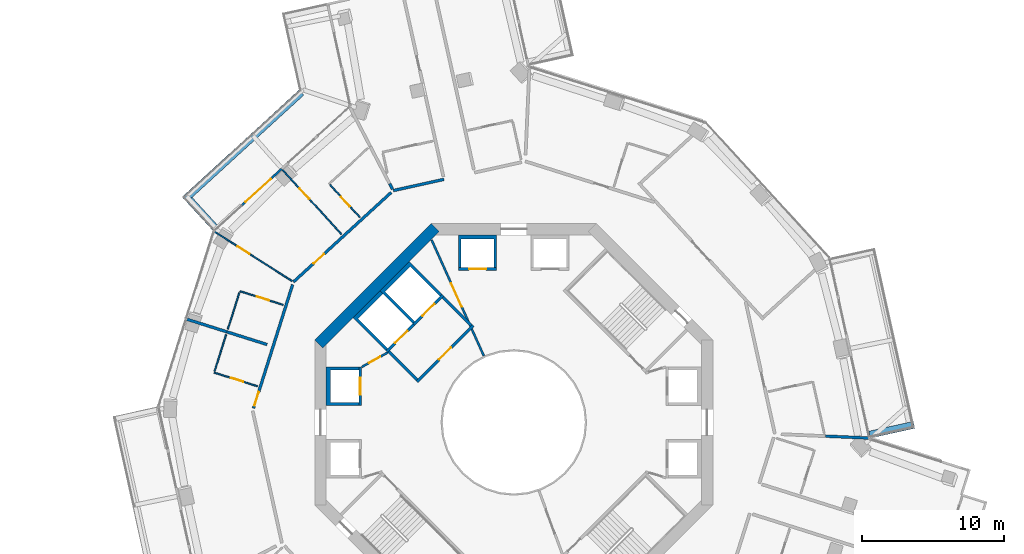
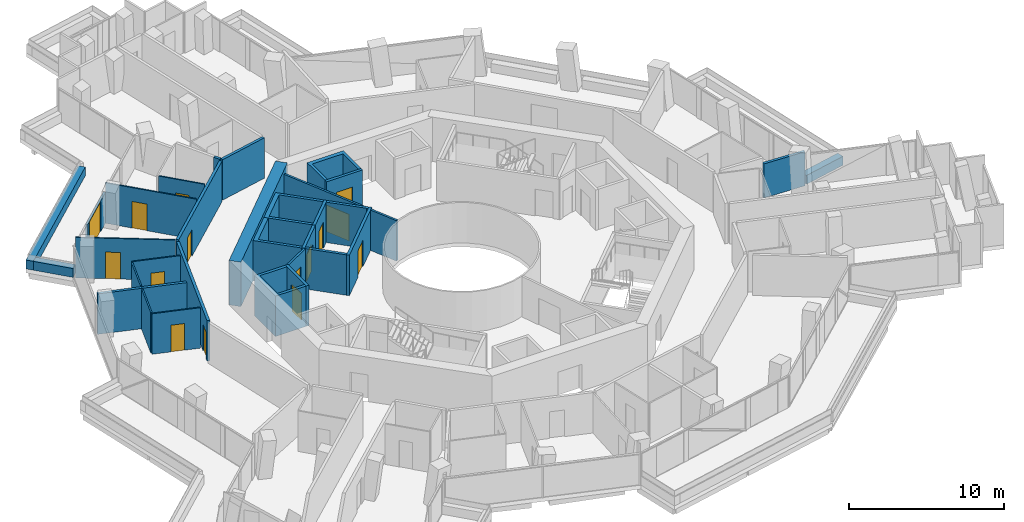
# One storey, part 19 of 24: 32 walls, 15 doors, 15 openings.
"""IFC4 building model written with IfcOpenShell, lengths in metres."""

from ifc_helpers import new_model, si_unit, direction, frame, frame_2d, origin, place, context, subcontext, project, spatial, polyline, rectangle, outline, extrude, material, layer, layer_set, type_object, element, fill, save


model = new_model("IFC4")

# Units and contexts
model_context = context("Model", 3, precision=1e-05, world=origin(), true_north=direction((0.0, 1.0)))
body_context = subcontext(model_context, "Body", "Model", "MODEL_VIEW")
ifc_project = project(units=[si_unit("LENGTHUNIT", "METRE"), si_unit("AREAUNIT", "SQUARE_METRE"), si_unit("VOLUMEUNIT", "CUBIC_METRE"), si_unit("PLANEANGLEUNIT", "RADIAN"), si_unit("MASSUNIT", "GRAM", prefix="KILO")], contexts=[model_context])

# Site, building, storey
site_placement = place(None, origin())
site = spatial("IfcSite", under=ifc_project, at=site_placement, CompositionType="ELEMENT")
building_placement = place(site_placement, origin())
building = spatial("IfcBuilding", under=site, at=building_placement, Name="Verdalira Terraces Hotel", CompositionType="ELEMENT")
storey_placement = place(building_placement, frame((0.0, 0.0, 86.0)))
storey = spatial("IfcBuildingStorey", under=building, at=storey_placement, Name="L19", CompositionType="ELEMENT", Elevation=86.0)

# Walls
ifc_material_1 = material(Name="Concrete C40", Category="concrete")
ifc_layer_1 = layer(ifc_material_1, 0.5)
ifc_layer_set_1 = layer_set([ifc_layer_1], Name="Balcony planter trough with tree")
wall_type_1 = type_object("IfcWallType", Name="Balcony planter trough with tree", PredefinedType="SOLIDWALL", material=ifc_layer_set_1)
wall_1_placement = place(storey_placement, frame((-14.943359, 23.208496, 0.0), z_axis=(0.0, 0.0, 1.0), x_axis=(-0.737508426, -0.675337932, 0.0)))
element("IfcWall", 1, at=wall_1_placement, inside=storey, type_object=wall_type_1, Name="Balcony planter", PredefinedType="SOLIDWALL", context=body_context, shape_type="SweptSolid", body=[
    extrude(rectangle(XDim=11.152588, YDim=0.5, at=frame_2d((5.576172, 0.0))), origin(), (0.0, 0.0, 1.0), 0.699951),
])
wall_2_placement = place(storey_placement, frame((-22.815186, 15.661377, 0.0), z_axis=(0.0, 0.0, 1.0), x_axis=(0.675257533, -0.737582039, 0.0)))
element("IfcWall", 2, at=wall_2_placement, inside=storey, type_object=wall_type_1, Name="Balcony planter", PredefinedType="SOLIDWALL", context=body_context, shape_type="SweptSolid", body=[
    extrude(rectangle(XDim=2.698975, YDim=0.5, at=frame_2d((1.349609, 0.0))), origin(), (0.0, 0.0, 1.0), 0.699951),
])
wall_3_placement = place(storey_placement, frame((25.036621, -0.859863, 0.0), z_axis=(0.0, 0.0, 1.0), x_axis=(0.97638239, 0.216049597, 0.0)))
element("IfcWall", 3, at=wall_3_placement, inside=storey, type_object=wall_type_1, Name="Balcony planter", PredefinedType="SOLIDWALL", context=body_context, shape_type="SweptSolid", body=[
    extrude(rectangle(XDim=3.198975, YDim=0.5, at=frame_2d((1.599609, 0.0))), origin(), (0.0, 0.0, 1.0), 0.699951),
])
ifc_material_2 = material(Name="Moisture-resistant gypsum board partition")
ifc_layer_2 = layer(ifc_material_2, 0.10009765625)
ifc_layer_set_2 = layer_set([ifc_layer_2], Name="Bathroom partition 100 mm")
wall_type_2 = type_object("IfcWallType", Name="Bathroom partition 100 mm", PredefinedType="PARTITIONING", material=ifc_layer_set_2)
for number, where, z_axis, x_axis, name in (
    (4, (-21.049805, 3.604004, 0.0), (0.0, 0.0, 1.0), (0.301023175, 0.953616824, 0.0), "Bathroom partition"),
    (5, (-19.303711, 9.13501, 0.0), (0.0, 0.0, 1.0), (-0.301105403, -0.953590864, 0.0), "Bathroom partition"),
):
    element("IfcWall", number, at=place(storey_placement, frame(where, z_axis=z_axis, x_axis=x_axis)), inside=storey, type_object=wall_type_2, Name=name, PredefinedType="PARTITIONING", context=body_context, shape_type="SweptSolid", body=[
        extrude(rectangle(XDim=2.699951, YDim=0.100098, at=frame_2d((1.350098, 0.0))), origin(), (0.0, 0.0, 1.0), 3.189941),
    ])

# Wall, opening, door
wall_4_placement = place(storey_placement, frame((-21.080078, 3.508545, 0.0), z_axis=(0.0, 0.0, 1.0), x_axis=(0.953634536, -0.30096706, 0.0)))
wall_4 = element("IfcWall", 6, at=wall_4_placement, inside=storey, type_object=wall_type_2, Name="Bathroom partition", PredefinedType="PARTITIONING", context=body_context, shape_type="SweptSolid", body=[
    extrude(rectangle(XDim=3.200195, YDim=0.100098, at=frame_2d((1.600098, 0.0))), origin(), (0.0, 0.0, 1.0), 3.189941),
])
opening_1_placement = place(wall_4_placement, frame((1.25, 0.0, 0.0)))
opening_1 = element("IfcOpeningElement", 7, at=opening_1_placement, cuts=wall_4, Name="Opening L19-112", PredefinedType="OPENING", context=body_context, shape_type="SweptSolid", body=[
    extrude(rectangle(XDim=0.899902, YDim=2.100098, at=frame_2d((0.449951, 1.050049))), frame((0.0, 0.060059, 0.0), z_axis=(0.0, -1.0, 0.0), x_axis=(1.0, 0.0, 0.0)), (0.0, 0.0, 1.0), 0.120117),
])
ifc_material_3 = material(Name="Timber door", Category="wood")
door_type_1 = type_object("IfcDoorType", Name="Bathroom door 900 x 2100", OperationType="NOTDEFINED", PredefinedType="DOOR", material=ifc_material_3)
door_1_placement = place(opening_1_placement, origin())
door_1 = element("IfcDoor", 8, at=door_1_placement, inside=storey, type_object=door_type_1, Name="Bathroom door 1904", OperationType="SINGLE_SWING_LEFT", OverallHeight=2.10009765625, OverallWidth=0.89990234375, PredefinedType="DOOR", context=body_context, shape_type="SweptSolid", body=[
    extrude(rectangle(XDim=0.899902, YDim=2.100098, at=frame_2d((0.449951, 1.050049))), frame((0.0, 0.024902, 0.0), z_axis=(0.0, -1.0, 0.0), x_axis=(1.0, 0.0, 0.0)), (0.0, 0.0, 1.0), 0.050049),
])
fill(opening_1, door_1)

wall_5_placement = place(storey_placement, frame((-15.589355, 9.939209, 0.0), z_axis=(0.0, 0.0, 1.0), x_axis=(-0.843215663, 0.537575433, 0.0)))
wall_5 = element("IfcWall", 9, at=wall_5_placement, inside=storey, type_object=wall_type_2, Name="Bathroom partition", PredefinedType="PARTITIONING", context=body_context, shape_type="SweptSolid", body=[
    extrude(rectangle(XDim=6.47583, YDim=0.100098, at=frame_2d((3.237793, 0.0))), origin(), (0.0, 0.0, 1.0), 3.189941),
])
opening_2_placement = place(wall_5_placement, frame((3.550049, 0.0, 0.0)))
opening_2 = element("IfcOpeningElement", 10, at=opening_2_placement, cuts=wall_5, Name="Opening L19-108", PredefinedType="OPENING", context=body_context, shape_type="SweptSolid", body=[
    extrude(rectangle(XDim=1.0, YDim=2.100098, at=frame_2d((0.5, 1.050049))), frame((0.0, 0.060059, 0.0), z_axis=(0.0, -1.0, 0.0), x_axis=(1.0, 0.0, 0.0)), (0.0, 0.0, 1.0), 0.120117),
])
ifc_material_4 = material(Name="Timber door", Category="wood")
door_type_2 = type_object("IfcDoorType", Name="Suite internal door 1000 x 2100", OperationType="NOTDEFINED", PredefinedType="DOOR", material=ifc_material_4)
door_2_placement = place(opening_2_placement, origin())
door_2 = element("IfcDoor", 11, at=door_2_placement, inside=storey, type_object=door_type_2, Name="Suite internal door 1903", OperationType="SINGLE_SWING_LEFT", OverallHeight=2.10009765625, OverallWidth=1.0, PredefinedType="DOOR", context=body_context, shape_type="SweptSolid", body=[
    extrude(rectangle(XDim=1.0, YDim=2.100098, at=frame_2d((0.5, 1.050049))), frame((0.0, 0.024902, 0.0), z_axis=(0.0, -1.0, 0.0), x_axis=(1.0, 0.0, 0.0)), (0.0, 0.0, 1.0), 0.050049),
])
fill(opening_2, door_2)

wall_6_placement = place(storey_placement, frame((-16.222168, 8.26709, 0.0), z_axis=(0.0, 0.0, 1.0), x_axis=(-0.953627625, 0.300988958, 0.0)))
wall_6 = element("IfcWall", 12, at=wall_6_placement, inside=storey, type_object=wall_type_2, Name="Bathroom partition", PredefinedType="PARTITIONING", context=body_context, shape_type="SweptSolid", body=[
    extrude(rectangle(XDim=3.199951, YDim=0.100098, at=frame_2d((1.600098, 0.0))), origin(), (0.0, 0.0, 1.0), 3.189941),
])
opening_3_placement = place(wall_6_placement, frame((1.050049, 0.0, 0.0)))
opening_3 = element("IfcOpeningElement", 13, at=opening_3_placement, cuts=wall_6, Name="Opening L19-110", PredefinedType="OPENING", context=body_context, shape_type="SweptSolid", body=[
    extrude(rectangle(XDim=0.899902, YDim=2.100098, at=frame_2d((0.449951, 1.050049))), frame((0.0, 0.060059, 0.0), z_axis=(0.0, -1.0, 0.0), x_axis=(1.0, 0.0, 0.0)), (0.0, 0.0, 1.0), 0.120117),
])
door_3_placement = place(opening_3_placement, origin())
door_3 = element("IfcDoor", 14, at=door_3_placement, inside=storey, type_object=door_type_1, Name="Bathroom door 1903", OperationType="SINGLE_SWING_RIGHT", OverallHeight=2.10009765625, OverallWidth=0.89990234375, PredefinedType="DOOR", context=body_context, shape_type="SweptSolid", body=[
    extrude(rectangle(XDim=0.899902, YDim=2.100098, at=frame_2d((0.449951, 1.050049))), frame((0.0, 0.024902, 0.0), z_axis=(0.0, -1.0, 0.0), x_axis=(1.0, 0.0, 0.0)), (0.0, 0.0, 1.0), 0.050049),
])
fill(opening_3, door_3)

wall_7_placement = place(storey_placement, frame((-16.281006, 17.780273, 0.0), z_axis=(0.0, 0.0, 1.0), x_axis=(0.67532007, -0.737524781, 0.0)))
wall_7 = element("IfcWall", 15, at=wall_7_placement, inside=storey, type_object=wall_type_2, Name="Bathroom partition", PredefinedType="PARTITIONING", context=body_context, shape_type="SweptSolid", body=[
    extrude(rectangle(XDim=6.150146, YDim=0.100098, at=frame_2d((3.075195, 0.0))), origin(), (0.0, 0.0, 1.0), 3.189941),
])
opening_4_placement = place(wall_7_placement, frame((1.800049, 0.0, 0.0)))
opening_4 = element("IfcOpeningElement", 16, at=opening_4_placement, cuts=wall_7, Name="Opening L19-107", PredefinedType="OPENING", context=body_context, shape_type="SweptSolid", body=[
    extrude(rectangle(XDim=1.0, YDim=2.100098, at=frame_2d((0.5, 1.050049))), frame((0.0, 0.060059, 0.0), z_axis=(0.0, -1.0, 0.0), x_axis=(1.0, 0.0, 0.0)), (0.0, 0.0, 1.0), 0.120117),
])
door_4_placement = place(opening_4_placement, origin())
door_4 = element("IfcDoor", 17, at=door_4_placement, inside=storey, type_object=door_type_2, Name="Suite internal door 1903", OperationType="SINGLE_SWING_LEFT", OverallHeight=2.10009765625, OverallWidth=1.0, PredefinedType="DOOR", context=body_context, shape_type="SweptSolid", body=[
    extrude(rectangle(XDim=1.0, YDim=2.100098, at=frame_2d((0.5, 1.050049))), frame((0.0, 0.024902, 0.0), z_axis=(0.0, -1.0, 0.0), x_axis=(1.0, 0.0, 0.0)), (0.0, 0.0, 1.0), 0.050049),
])
fill(opening_4, door_4)

wall_8_placement = place(storey_placement, frame((-12.924561, 16.718262, 0.0), z_axis=(0.0, 0.0, 1.0), x_axis=(0.675314409, -0.737529964, 0.0)))
wall_8 = element("IfcWall", 18, at=wall_8_placement, inside=storey, type_object=wall_type_2, Name="Bathroom partition", PredefinedType="PARTITIONING", context=body_context, shape_type="SweptSolid", body=[
    extrude(rectangle(XDim=3.100098, YDim=0.100098, at=frame_2d((1.550049, 0.0))), origin(), (0.0, 0.0, 1.0), 3.189941),
])
opening_5_placement = place(wall_8_placement, frame((1.149902, 0.0, 0.0)))
opening_5 = element("IfcOpeningElement", 19, at=opening_5_placement, cuts=wall_8, Name="Opening L19-109", PredefinedType="OPENING", context=body_context, shape_type="SweptSolid", body=[
    extrude(rectangle(XDim=0.899902, YDim=2.100098, at=frame_2d((0.449951, 1.050049))), frame((0.0, 0.060059, 0.0), z_axis=(0.0, -1.0, 0.0), x_axis=(1.0, 0.0, 0.0)), (0.0, 0.0, 1.0), 0.120117),
])
door_5_placement = place(opening_5_placement, origin())
door_5 = element("IfcDoor", 20, at=door_5_placement, inside=storey, type_object=door_type_1, Name="Bathroom door 1903", OperationType="SINGLE_SWING_LEFT", OverallHeight=2.10009765625, OverallWidth=0.89990234375, PredefinedType="DOOR", context=body_context, shape_type="SweptSolid", body=[
    extrude(rectangle(XDim=0.899902, YDim=2.100098, at=frame_2d((0.449951, 1.050049))), frame((0.0, 0.024902, 0.0), z_axis=(0.0, -1.0, 0.0), x_axis=(1.0, 0.0, 0.0)), (0.0, 0.0, 1.0), 0.050049),
])
fill(opening_5, door_5)

# Wall
ifc_material_5 = material(Name="Concrete C50", Category="concrete")
ifc_layer_3 = layer(ifc_material_5, 0.199951171875)
ifc_layer_set_3 = layer_set([ifc_layer_3], Name="Core RC wall 200 C50")
wall_type_3 = type_object("IfcWallType", Name="Core RC wall 200 C50", PredefinedType="SOLIDWALL", material=ifc_layer_set_3)
wall_9_placement = place(storey_placement, origin())
element("IfcWall", 21, at=wall_9_placement, inside=storey, type_object=wall_type_3, Name="L19 shaft wall N2", PredefinedType="SOLIDWALL", context=body_context, shape_type="SweptSolid", body=[
    extrude(outline(polyline([(-3.899902, 10.899902), (-3.899902, 13.199951), (-1.199951, 13.199951), (-1.199951, 10.899902), (-1.399902, 10.899902), (-1.399902, 12.899902), (-3.699951, 12.899902), (-3.699951, 10.899902), (-3.899902, 10.899902)])), origin(), (0.0, 0.0, 1.0), 3.189941),
])

# Wall, opening, door
wall_10_placement = place(storey_placement, frame((-1.199951, 10.800049, 0.0), z_axis=(0.0, 0.0, 1.0), x_axis=(-1.0, 0.0, 0.0)))
wall_10 = element("IfcWall", 22, at=wall_10_placement, inside=storey, type_object=wall_type_3, Name="L19 shaft front wall N2", PredefinedType="SOLIDWALL", context=body_context, shape_type="SweptSolid", body=[
    extrude(rectangle(XDim=2.699951, YDim=0.199951, at=frame_2d((1.350098, 0.0))), origin(), (0.0, 0.0, 1.0), 3.189941),
])
opening_6_placement = place(wall_10_placement, frame((0.75, 0.0, 0.0)))
opening_6 = element("IfcOpeningElement", 23, at=opening_6_placement, cuts=wall_10, Name="Opening LD-L19-804", PredefinedType="OPENING", context=body_context, shape_type="SweptSolid", body=[
    extrude(rectangle(XDim=1.199951, YDim=2.100098, at=frame_2d((0.600098, 1.050049))), frame((0.0, 0.109863, 0.0), z_axis=(0.0, -1.0, 0.0), x_axis=(1.0, 0.0, 0.0)), (0.0, 0.0, 1.0), 0.219971),
])
ifc_material_6 = material(Name="Stainless steel", Category="steel")
door_type_3 = type_object("IfcDoorType", Name="Landing door 1200 x 2100", OperationType="NOTDEFINED", PredefinedType="DOOR", material=ifc_material_6)
door_6_placement = place(opening_6_placement, origin())
door_6 = element("IfcDoor", 24, at=door_6_placement, inside=storey, type_object=door_type_3, Name="Lift landing door LR4 L19", OperationType="DOUBLE_DOOR_SLIDING", OverallHeight=2.10009765625, OverallWidth=1.199951171875, PredefinedType="DOOR", context=body_context, shape_type="SweptSolid", body=[
    extrude(rectangle(XDim=1.199951, YDim=2.100098, at=frame_2d((0.600098, 1.050049))), frame((0.0, 0.024902, 0.0), z_axis=(0.0, -1.0, 0.0), x_axis=(1.0, 0.0, 0.0)), (0.0, 0.0, 1.0), 0.050049),
])
fill(opening_6, door_6)

# Wall
wall_11_placement = place(storey_placement, origin())
element("IfcWall", 25, at=wall_11_placement, inside=storey, type_object=wall_type_3, Name="L19 shaft wall W1", PredefinedType="SOLIDWALL", context=body_context, shape_type="SweptSolid", body=[
    extrude(outline(polyline([(-13.199951, 3.899902), (-10.899902, 3.899902), (-10.899902, 3.699951), (-12.899902, 3.699951), (-12.899902, 1.399902), (-10.899902, 1.399902), (-10.899902, 1.199951), (-13.199951, 1.199951), (-13.199951, 3.899902)])), origin(), (0.0, 0.0, 1.0), 3.189941),
])

# Wall, opening, door
wall_12_placement = place(storey_placement, frame((-10.800049, 1.199951, 0.0), z_axis=(0.0, 0.0, 1.0), x_axis=(0.0, 1.0, 0.0)))
wall_12 = element("IfcWall", 26, at=wall_12_placement, inside=storey, type_object=wall_type_3, Name="L19 shaft front wall W1", PredefinedType="SOLIDWALL", context=body_context, shape_type="SweptSolid", body=[
    extrude(rectangle(XDim=2.699951, YDim=0.199951, at=frame_2d((1.350098, 0.0))), origin(), (0.0, 0.0, 1.0), 3.189941),
])
opening_7_placement = place(wall_12_placement, frame((0.75, 0.0, 0.0)))
opening_7 = element("IfcOpeningElement", 27, at=opening_7_placement, cuts=wall_12, Name="Opening LD-L19-805", PredefinedType="OPENING", context=body_context, shape_type="SweptSolid", body=[
    extrude(rectangle(XDim=1.199951, YDim=2.100098, at=frame_2d((0.600098, 1.050049))), frame((0.0, 0.109863, 0.0), z_axis=(0.0, -1.0, 0.0), x_axis=(1.0, 0.0, 0.0)), (0.0, 0.0, 1.0), 0.219971),
])
door_7_placement = place(opening_7_placement, origin())
door_7 = element("IfcDoor", 28, at=door_7_placement, inside=storey, type_object=door_type_3, Name="Lift landing door LR5 L19", OperationType="DOUBLE_DOOR_SLIDING", OverallHeight=2.10009765625, OverallWidth=1.199951171875, PredefinedType="DOOR", context=body_context, shape_type="SweptSolid", body=[
    extrude(rectangle(XDim=1.199951, YDim=2.100098, at=frame_2d((0.600098, 1.050049))), frame((0.0, 0.024902, 0.0), z_axis=(0.0, -1.0, 0.0), x_axis=(1.0, 0.0, 0.0)), (0.0, 0.0, 1.0), 0.050049),
])
fill(opening_7, door_7)

# Wall
wall_13_placement = place(storey_placement, origin())
element("IfcWall", 29, at=wall_13_placement, inside=storey, type_object=wall_type_3, Name="L19 shaft wall F1", PredefinedType="SOLIDWALL", context=body_context, shape_type="SweptSolid", body=[
    extrude(outline(polyline([(-9.404541, 9.263184), (-7.354004, 11.313721), (-5.055908, 9.015625), (-5.197266, 8.874268), (-7.283203, 10.960205), (-9.051025, 9.192383), (-6.965088, 7.106445), (-7.106445, 6.965088), (-9.404541, 9.263184)])), origin(), (0.0, 0.0, 1.0), 3.189941),
])

# Wall, opening, door
wall_14_placement = place(storey_placement, frame((-4.985107, 8.944824, 0.0), z_axis=(0.0, 0.0, 1.0), x_axis=(-0.707106781, -0.707106781, 0.0)))
wall_14 = element("IfcWall", 30, at=wall_14_placement, inside=storey, type_object=wall_type_3, Name="L19 shaft front wall F1", PredefinedType="SOLIDWALL", context=body_context, shape_type="SweptSolid", body=[
    extrude(rectangle(XDim=2.899902, YDim=0.199951, at=frame_2d((1.449951, 0.0))), origin(), (0.0, 0.0, 1.0), 3.189941),
])
opening_8_placement = place(wall_14_placement, frame((0.850098, 0.0, 0.0)))
opening_8 = element("IfcOpeningElement", 31, at=opening_8_placement, cuts=wall_14, Name="Opening LD-L19-807", PredefinedType="OPENING", context=body_context, shape_type="SweptSolid", body=[
    extrude(rectangle(XDim=1.199951, YDim=2.100098, at=frame_2d((0.600098, 1.050049))), frame((0.0, 0.109863, 0.0), z_axis=(0.0, -1.0, 0.0), x_axis=(1.0, 0.0, 0.0)), (0.0, 0.0, 1.0), 0.219971),
])
door_8_placement = place(opening_8_placement, origin())
door_8 = element("IfcDoor", 32, at=door_8_placement, inside=storey, type_object=door_type_3, Name="Lift landing door LF11 L19", OperationType="DOUBLE_DOOR_SLIDING", OverallHeight=2.10009765625, OverallWidth=1.199951171875, PredefinedType="DOOR", context=body_context, shape_type="SweptSolid", body=[
    extrude(rectangle(XDim=1.199951, YDim=2.100098, at=frame_2d((0.600098, 1.050049))), frame((0.0, 0.024902, 0.0), z_axis=(0.0, -1.0, 0.0), x_axis=(1.0, 0.0, 0.0)), (0.0, 0.0, 1.0), 0.050049),
])
fill(opening_8, door_8)

# Wall
wall_15_placement = place(storey_placement, origin())
element("IfcWall", 33, at=wall_15_placement, inside=storey, type_object=wall_type_3, Name="L19 shaft wall F2", PredefinedType="SOLIDWALL", context=body_context, shape_type="SweptSolid", body=[
    extrude(outline(polyline([(-11.313721, 7.354004), (-9.404541, 9.263184), (-9.192383, 9.051025), (-10.960205, 7.283203), (-8.874268, 5.197266), (-9.015625, 5.055908), (-11.313721, 7.354004)])), origin(), (0.0, 0.0, 1.0), 3.189941),
])

# Wall, opening, door
wall_16_placement = place(storey_placement, frame((-7.035645, 6.894287, 0.0), z_axis=(0.0, 0.0, 1.0), x_axis=(-0.707106781, -0.707106781, 0.0)))
wall_16 = element("IfcWall", 34, at=wall_16_placement, inside=storey, type_object=wall_type_3, Name="L19 shaft front wall F2", PredefinedType="SOLIDWALL", context=body_context, shape_type="SweptSolid", body=[
    extrude(rectangle(XDim=2.699951, YDim=0.199951, at=frame_2d((1.350098, 0.0))), origin(), (0.0, 0.0, 1.0), 3.189941),
])
opening_9_placement = place(wall_16_placement, frame((0.649902, 0.0, 0.0)))
opening_9 = element("IfcOpeningElement", 35, at=opening_9_placement, cuts=wall_16, Name="Opening LD-L19-808", PredefinedType="OPENING", context=body_context, shape_type="SweptSolid", body=[
    extrude(rectangle(XDim=1.199951, YDim=2.100098, at=frame_2d((0.600098, 1.050049))), frame((0.0, 0.109863, 0.0), z_axis=(0.0, -1.0, 0.0), x_axis=(1.0, 0.0, 0.0)), (0.0, 0.0, 1.0), 0.219971),
])
door_9_placement = place(opening_9_placement, origin())
door_9 = element("IfcDoor", 36, at=door_9_placement, inside=storey, type_object=door_type_3, Name="Lift landing door LF12 L19", OperationType="DOUBLE_DOOR_SLIDING", OverallHeight=2.10009765625, OverallWidth=1.199951171875, PredefinedType="DOOR", context=body_context, shape_type="SweptSolid", body=[
    extrude(rectangle(XDim=1.199951, YDim=2.100098, at=frame_2d((0.600098, 1.050049))), frame((0.0, 0.024902, 0.0), z_axis=(0.0, -1.0, 0.0), x_axis=(1.0, 0.0, 0.0)), (0.0, 0.0, 1.0), 0.050049),
])
fill(opening_9, door_9)

wall_17_placement = place(storey_placement, frame((-2.86377, 6.823486, 0.0), z_axis=(0.0, 0.0, 1.0), x_axis=(-0.707106781, -0.707106781, 0.0)))
wall_17 = element("IfcWall", 37, at=wall_17_placement, inside=storey, type_object=wall_type_3, Name="L19 fire lobby wall", PredefinedType="SOLIDWALL", context=body_context, shape_type="SweptSolid", body=[
    extrude(rectangle(XDim=5.599854, YDim=0.199951, at=frame_2d((2.799805, 0.0))), origin(), (0.0, 0.0, 1.0), 3.189941),
])
opening_10_placement = place(wall_17_placement, frame((2.199951, 0.0, 0.0)))
opening_10 = element("IfcOpeningElement", 38, at=opening_10_placement, cuts=wall_17, Name="Opening L19-819", PredefinedType="OPENING", context=body_context, shape_type="SweptSolid", body=[
    extrude(rectangle(XDim=1.199951, YDim=2.100098, at=frame_2d((0.600098, 1.050049))), frame((0.0, 0.109863, 0.0), z_axis=(0.0, -1.0, 0.0), x_axis=(1.0, 0.0, 0.0)), (0.0, 0.0, 1.0), 0.219971),
])
ifc_material_7 = material(Name="Steel fire door", Category="steel")
door_type_4 = type_object("IfcDoorType", Name="Lobby door 1200 x 2100", OperationType="NOTDEFINED", PredefinedType="DOOR", material=ifc_material_7)
door_10_placement = place(opening_10_placement, origin())
door_10 = element("IfcDoor", 39, at=door_10_placement, inside=storey, type_object=door_type_4, Name="Fire lobby door L19", OperationType="SINGLE_SWING_LEFT", OverallHeight=2.10009765625, OverallWidth=1.199951171875, PredefinedType="DOOR", context=body_context, shape_type="SweptSolid", body=[
    extrude(rectangle(XDim=1.199951, YDim=2.100098, at=frame_2d((0.600098, 1.050049))), frame((0.0, 0.024902, 0.0), z_axis=(0.0, -1.0, 0.0), x_axis=(1.0, 0.0, 0.0)), (0.0, 0.0, 1.0), 0.050049),
])
fill(opening_10, door_10)

# Walls
for number, where, z_axis, x_axis, name in (
    (40, (-3.005127, 6.823486, 0.0), (0.0, 0.0, 1.0), (-0.707106781, 0.707106781, 0.0), "L19 fire lobby wall"),
    (41, (-6.823486, 3.005127, 0.0), (0.0, 0.0, 1.0), (-0.707106781, 0.707106781, 0.0), "L19 fire lobby wall"),
):
    element("IfcWall", number, at=place(storey_placement, frame(where, z_axis=z_axis, x_axis=x_axis)), inside=storey, type_object=wall_type_3, Name=name, PredefinedType="SOLIDWALL", context=body_context, shape_type="SweptSolid", body=[
        extrude(rectangle(XDim=2.800049, YDim=0.199951, at=frame_2d((1.399902, 0.0))), origin(), (0.0, 0.0, 1.0), 3.189941),
    ])

# Wall, opening, door
ifc_material_8 = material(Name="Gypsum board partition")
ifc_layer_4 = layer(ifc_material_8, 0.14990234375)
ifc_layer_set_4 = layer_set([ifc_layer_4], Name="Core partition 150 mm")
wall_type_4 = type_object("IfcWallType", Name="Core partition 150 mm", PredefinedType="PARTITIONING", material=ifc_layer_set_4)
wall_18_placement = place(storey_placement, frame((-8.874268, 4.914307, 0.0), z_axis=(0.0, 0.0, 1.0), x_axis=(-0.874129705, -0.485692555, 0.0)))
wall_18 = element("IfcWall", 42, at=wall_18_placement, inside=storey, type_object=wall_type_4, Name="Room partition L19", PredefinedType="PARTITIONING", context=body_context, shape_type="SweptSolid", body=[
    extrude(rectangle(XDim=2.088623, YDim=0.149902, at=frame_2d((1.044434, 0.0))), origin(), (0.0, 0.0, 1.0), 3.189941),
])
opening_11_placement = place(wall_18_placement, frame((0.594238, 0.0, 0.0)))
opening_11 = element("IfcOpeningElement", 43, at=opening_11_placement, cuts=wall_18, Name="Opening L19-821", PredefinedType="OPENING", context=body_context, shape_type="SweptSolid", body=[
    extrude(rectangle(XDim=0.899902, YDim=2.100098, at=frame_2d((0.449951, 1.050049))), frame((0.0, 0.084961, 0.0), z_axis=(0.0, -1.0, 0.0), x_axis=(1.0, 0.0, 0.0)), (0.0, 0.0, 1.0), 0.169922),
])
ifc_material_9 = material(Name="Steel fire door", Category="steel")
door_type_5 = type_object("IfcDoorType", Name="Core room door 900 x 2100", OperationType="NOTDEFINED", PredefinedType="DOOR", material=ifc_material_9)
door_11_placement = place(opening_11_placement, origin())
door_11 = element("IfcDoor", 44, at=door_11_placement, inside=storey, type_object=door_type_5, Name="Door L19 room3", OperationType="SINGLE_SWING_LEFT", OverallHeight=2.10009765625, OverallWidth=0.89990234375, PredefinedType="DOOR", context=body_context, shape_type="SweptSolid", body=[
    extrude(rectangle(XDim=0.899902, YDim=2.100098, at=frame_2d((0.449951, 1.050049))), frame((0.0, 0.024902, 0.0), z_axis=(0.0, -1.0, 0.0), x_axis=(1.0, 0.0, 0.0)), (0.0, 0.0, 1.0), 0.050049),
])
fill(opening_11, door_11)

wall_19_placement = place(storey_placement, frame((-5.783691, 12.843994, 0.0), z_axis=(0.0, 0.0, 1.0), x_axis=(0.41058002, -0.91182457, 0.0)))
wall_19 = element("IfcWall", 45, at=wall_19_placement, inside=storey, type_object=wall_type_4, Name="Gallery fire partition L19", PredefinedType="PARTITIONING", context=body_context, shape_type="SweptSolid", body=[
    extrude(rectangle(XDim=8.956299, YDim=0.149902, at=frame_2d((4.478027, 0.0))), origin(), (0.0, 0.0, 1.0), 3.189941),
])
opening_12_placement = place(wall_19_placement, frame((3.356201, 0.0, 0.0)))
opening_12 = element("IfcOpeningElement", 46, at=opening_12_placement, cuts=wall_19, Name="Opening L19-824", PredefinedType="OPENING", context=body_context, shape_type="SweptSolid", body=[
    extrude(rectangle(XDim=1.800049, YDim=2.100098, at=frame_2d((0.899902, 1.050049))), frame((0.0, 0.084961, 0.0), z_axis=(0.0, -1.0, 0.0), x_axis=(1.0, 0.0, 0.0)), (0.0, 0.0, 1.0), 0.169922),
])
ifc_material_10 = material(Name="Steel fire door", Category="steel")
door_type_6 = type_object("IfcDoorType", Name="Gallery fire door pair 1800 x 2100", OperationType="NOTDEFINED", PredefinedType="DOOR", material=ifc_material_10)
door_12_placement = place(opening_12_placement, origin())
door_12 = element("IfcDoor", 47, at=door_12_placement, inside=storey, type_object=door_type_6, Name="Door L19 split2", OperationType="DOUBLE_DOOR_SINGLE_SWING", OverallHeight=2.10009765625, OverallWidth=1.800048828125, PredefinedType="DOOR", context=body_context, shape_type="SweptSolid", body=[
    extrude(rectangle(XDim=1.800049, YDim=2.100098, at=frame_2d((0.899902, 1.050049))), frame((0.0, 0.024902, 0.0), z_axis=(0.0, -1.0, 0.0), x_axis=(1.0, 0.0, 0.0)), (0.0, 0.0, 1.0), 0.050049),
])
fill(opening_12, door_12)

# Walls
ifc_material_11 = material(Name="Concrete C70", Category="concrete")
ifc_layer_5 = layer(ifc_material_11, 0.800048828125)
ifc_layer_set_5 = layer_set([ifc_layer_5], Name="Core wall 800 C70")
wall_type_5 = type_object("IfcWallType", Name="Core wall 800 C70", PredefinedType="SHEAR", material=ifc_layer_set_5)
wall_20_placement = place(storey_placement, frame((-5.516113, 13.717285, 0.0), z_axis=(0.0, 0.0, 1.0), x_axis=(-0.707106781, -0.707106781, 0.0)))
element("IfcWall", 48, at=wall_20_placement, inside=storey, type_object=wall_type_5, Name="Core wall CW-L19-4", PredefinedType="SHEAR", context=body_context, shape_type="SweptSolid", body=[
    extrude(rectangle(XDim=11.598145, YDim=0.800049, at=frame_2d((5.799072, 0.0))), origin(), (0.0, 0.0, 1.0), 3.5),
])
ifc_material_12 = material(Name="Fire-rated gypsum board wall")
ifc_layer_6 = layer(ifc_material_12, 0.199951171875)
ifc_layer_set_6 = layer_set([ifc_layer_6], Name="Demising wall 200 mm")
wall_type_6 = type_object("IfcWallType", Name="Demising wall 200 mm", PredefinedType="SOLIDWALL", material=ifc_layer_set_6)
wall_21_placement = place(storey_placement, frame((-20.176758, 6.369385, 0.0), z_axis=(0.0, 0.0, 1.0), x_axis=(-0.953602675, 0.301067997, 0.0)))
element("IfcWall", 49, at=wall_21_placement, inside=storey, type_object=wall_type_6, Name="Demising wall", PredefinedType="SOLIDWALL", context=body_context, shape_type="SweptSolid", body=[
    extrude(rectangle(XDim=2.950195, YDim=0.199951, at=frame_2d((1.475098, 0.0))), origin(), (0.0, 0.0, 1.0), 3.189941),
])
wall_22_placement = place(storey_placement, frame((-17.361084, 5.480713, 0.0), z_axis=(0.0, 0.0, 1.0), x_axis=(-0.953630141, 0.300980986, 0.0)))
element("IfcWall", 50, at=wall_22_placement, inside=storey, type_object=wall_type_6, Name="Demising wall", PredefinedType="SOLIDWALL", context=body_context, shape_type="SweptSolid", body=[
    extrude(rectangle(XDim=2.952637, YDim=0.199951, at=frame_2d((1.476318, 0.0))), origin(), (0.0, 0.0, 1.0), 3.189941),
])
wall_23_placement = place(storey_placement, frame((-8.53125, 16.402344, 0.0), z_axis=(0.0, 0.0, 1.0), x_axis=(-0.461456639, 0.887162764, 0.0)))
element("IfcWall", 51, at=wall_23_placement, inside=storey, type_object=wall_type_6, Name="Demising wall", PredefinedType="SOLIDWALL", context=body_context, shape_type="SweptSolid", body=[
    extrude(rectangle(XDim=0.443848, YDim=0.199951, at=frame_2d((0.221924, 0.0))), origin(), (0.0, 0.0, 1.0), 3.189941),
])
ifc_material_13 = material(Name="Fire-rated gypsum board wall")
ifc_layer_7 = layer(ifc_material_13, 0.199951171875)
ifc_layer_set_7 = layer_set([ifc_layer_7], Name="Demising wall 200 mm to beam soffit")
wall_type_7 = type_object("IfcWallType", Name="Demising wall 200 mm to beam soffit", PredefinedType="SOLIDWALL", material=ifc_layer_set_7)
wall_24_placement = place(storey_placement, frame((21.931396, -0.965088, 0.0), z_axis=(0.0, 0.0, 1.0), x_axis=(0.999030596, -0.04402123, 0.0)))
element("IfcWall", 52, at=wall_24_placement, inside=storey, type_object=wall_type_7, Name="Demising wall", PredefinedType="SOLIDWALL", context=body_context, shape_type="SweptSolid", body=[
    extrude(rectangle(XDim=3.011475, YDim=0.199951, at=frame_2d((1.505859, 0.0))), origin(), (0.0, 0.0, 1.0), 2.689941),
])

# Wall, opening, door
ifc_material_14 = material(Name="Fire-rated gypsum board wall")
ifc_layer_8 = layer(ifc_material_14, 0.199951171875)
ifc_layer_set_8 = layer_set([ifc_layer_8], Name="Guest corridor wall 200 mm")
wall_type_8 = type_object("IfcWallType", Name="Guest corridor wall 200 mm", PredefinedType="SOLIDWALL", material=ifc_layer_set_8)
wall_25_placement = place(storey_placement, frame((-18.306641, 0.999512, 0.0), z_axis=(0.0, 0.0, 1.0), x_axis=(0.301042929, 0.953610589, 0.0)))
wall_25 = element("IfcWall", 53, at=wall_25_placement, inside=storey, type_object=wall_type_8, Name="Guest corridor wall", PredefinedType="SOLIDWALL", context=body_context, shape_type="SweptSolid", body=[
    extrude(rectangle(XDim=9.116211, YDim=0.199951, at=frame_2d((4.558105, 0.0))), origin(), (0.0, 0.0, 1.0), 3.189941),
])
opening_13_placement = place(wall_25_placement, frame((0.199951, 0.0, 0.0)))
opening_13 = element("IfcOpeningElement", 54, at=opening_13_placement, cuts=wall_25, Name="Opening L19-111", PredefinedType="OPENING", context=body_context, shape_type="SweptSolid", body=[
    extrude(rectangle(XDim=1.0, YDim=2.100098, at=frame_2d((0.5, 1.050049))), frame((0.0, 0.109863, 0.0), z_axis=(0.0, -1.0, 0.0), x_axis=(1.0, 0.0, 0.0)), (0.0, 0.0, 1.0), 0.219971),
])
ifc_material_15 = material(Name="Timber fire door", Category="wood")
door_type_7 = type_object("IfcDoorType", Name="Guest entry door 1000 x 2100", OperationType="NOTDEFINED", PredefinedType="DOOR", material=ifc_material_15)
door_13_placement = place(opening_13_placement, origin())
door_13 = element("IfcDoor", 55, at=door_13_placement, inside=storey, type_object=door_type_7, Name="Guest entry door 1904", OperationType="SINGLE_SWING_LEFT", OverallHeight=2.10009765625, OverallWidth=1.0, PredefinedType="DOOR", context=body_context, shape_type="SweptSolid", body=[
    extrude(rectangle(XDim=1.0, YDim=2.100098, at=frame_2d((0.5, 1.050049))), frame((0.0, 0.024902, 0.0), z_axis=(0.0, -1.0, 0.0), x_axis=(1.0, 0.0, 0.0)), (0.0, 0.0, 1.0), 0.050049),
])
fill(opening_13, door_13)

wall_26_placement = place(storey_placement, frame((-15.502197, 9.883545, 0.0), z_axis=(0.0, 0.0, 1.0), x_axis=(0.73751517, 0.675330566, 0.0)))
wall_26 = element("IfcWall", 56, at=wall_26_placement, inside=storey, type_object=wall_type_8, Name="Guest corridor wall", PredefinedType="SOLIDWALL", context=body_context, shape_type="SweptSolid", body=[
    extrude(rectangle(XDim=9.31665, YDim=0.199951, at=frame_2d((4.658203, 0.0))), origin(), (0.0, 0.0, 1.0), 3.189941),
])
opening_14_placement = place(wall_26_placement, frame((1.899902, 0.0, 0.0)))
opening_14 = element("IfcOpeningElement", 57, at=opening_14_placement, cuts=wall_26, Name="Opening L19-106", PredefinedType="OPENING", context=body_context, shape_type="SweptSolid", body=[
    extrude(rectangle(XDim=1.0, YDim=2.100098, at=frame_2d((0.5, 1.050049))), frame((0.0, 0.109863, 0.0), z_axis=(0.0, -1.0, 0.0), x_axis=(1.0, 0.0, 0.0)), (0.0, 0.0, 1.0), 0.219971),
])
door_14_placement = place(opening_14_placement, origin())
door_14 = element("IfcDoor", 58, at=door_14_placement, inside=storey, type_object=door_type_7, Name="Guest entry door 1903", OperationType="SINGLE_SWING_LEFT", OverallHeight=2.10009765625, OverallWidth=1.0, PredefinedType="DOOR", context=body_context, shape_type="SweptSolid", body=[
    extrude(rectangle(XDim=1.0, YDim=2.100098, at=frame_2d((0.5, 1.050049))), frame((0.0, 0.024902, 0.0), z_axis=(0.0, -1.0, 0.0), x_axis=(1.0, 0.0, 0.0)), (0.0, 0.0, 1.0), 0.050049),
])
fill(opening_14, door_14)

# Wall
wall_27_placement = place(storey_placement, frame((-4.911621, 17.101074, 0.0), z_axis=(0.0, 0.0, 1.0), x_axis=(-0.976371999, -0.21609655, 0.0)))
element("IfcWall", 59, at=wall_27_placement, inside=storey, type_object=wall_type_8, Name="Guest corridor wall", PredefinedType="SOLIDWALL", context=body_context, shape_type="SweptSolid", body=[
    extrude(rectangle(XDim=3.658203, YDim=0.199951, at=frame_2d((1.829102, 0.0))), origin(), (0.0, 0.0, 1.0), 3.189941),
])

# Wall, opening, door
ifc_material_16 = material(Name="Terracotta cladding", Category="masonry")
ifc_layer_9 = layer(ifc_material_16, 0.14990234375)
ifc_layer_set_9 = layer_set([ifc_layer_9], Name="Terracotta door pier 150")
wall_type_9 = type_object("IfcWallType", Name="Terracotta door pier 150", PredefinedType="SOLIDWALL", material=ifc_layer_set_9)
wall_28_placement = place(storey_placement, frame((-16.331787, 17.835449, 0.0), z_axis=(0.0, 0.0, 1.0), x_axis=(-0.737547703, -0.675295036, 0.0)))
wall_28 = element("IfcWall", 60, at=wall_28_placement, inside=storey, type_object=wall_type_9, Name="Terracotta door pier", PredefinedType="SOLIDWALL", context=body_context, shape_type="SweptSolid", body=[
    extrude(rectangle(XDim=3.835449, YDim=0.149902, at=frame_2d((1.917725, 0.0))), origin(), (0.0, 0.0, 1.0), 2.425049),
])
opening_15_placement = place(wall_28_placement, frame((1.0354, 0.0, 0.0)))
opening_15 = element("IfcOpeningElement", 61, at=opening_15_placement, cuts=wall_28, Name="Opening L19-B05", PredefinedType="OPENING", context=body_context, shape_type="SweptSolid", body=[
    extrude(rectangle(XDim=2.399902, YDim=2.399902, at=frame_2d((1.199951, 1.199951))), frame((0.0, 0.084961, 0.0), z_axis=(0.0, -1.0, 0.0), x_axis=(1.0, 0.0, 0.0)), (0.0, 0.0, 1.0), 0.169922),
])
ifc_material_17 = material(Name="Clear glass", Category="glass")
door_type_8 = type_object("IfcDoorType", Name="Balcony sliding door 2400x2400", OperationType="NOTDEFINED", PredefinedType="DOOR", material=ifc_material_17)
door_15_placement = place(opening_15_placement, origin())
door_15 = element("IfcDoor", 62, at=door_15_placement, inside=storey, type_object=door_type_8, Name="Balcony sliding door", OperationType="SLIDING_TO_LEFT", OverallHeight=2.39990234375, OverallWidth=2.39990234375, PredefinedType="DOOR", context=body_context, shape_type="SweptSolid", body=[
    extrude(rectangle(XDim=2.399902, YDim=2.399902, at=frame_2d((1.199951, 1.199951))), frame((0.0, 0.024902, 0.0), z_axis=(0.0, -1.0, 0.0), x_axis=(1.0, 0.0, 0.0)), (0.0, 0.0, 1.0), 0.050049),
])
fill(opening_15, door_15)

save(model, "model.ifc")
